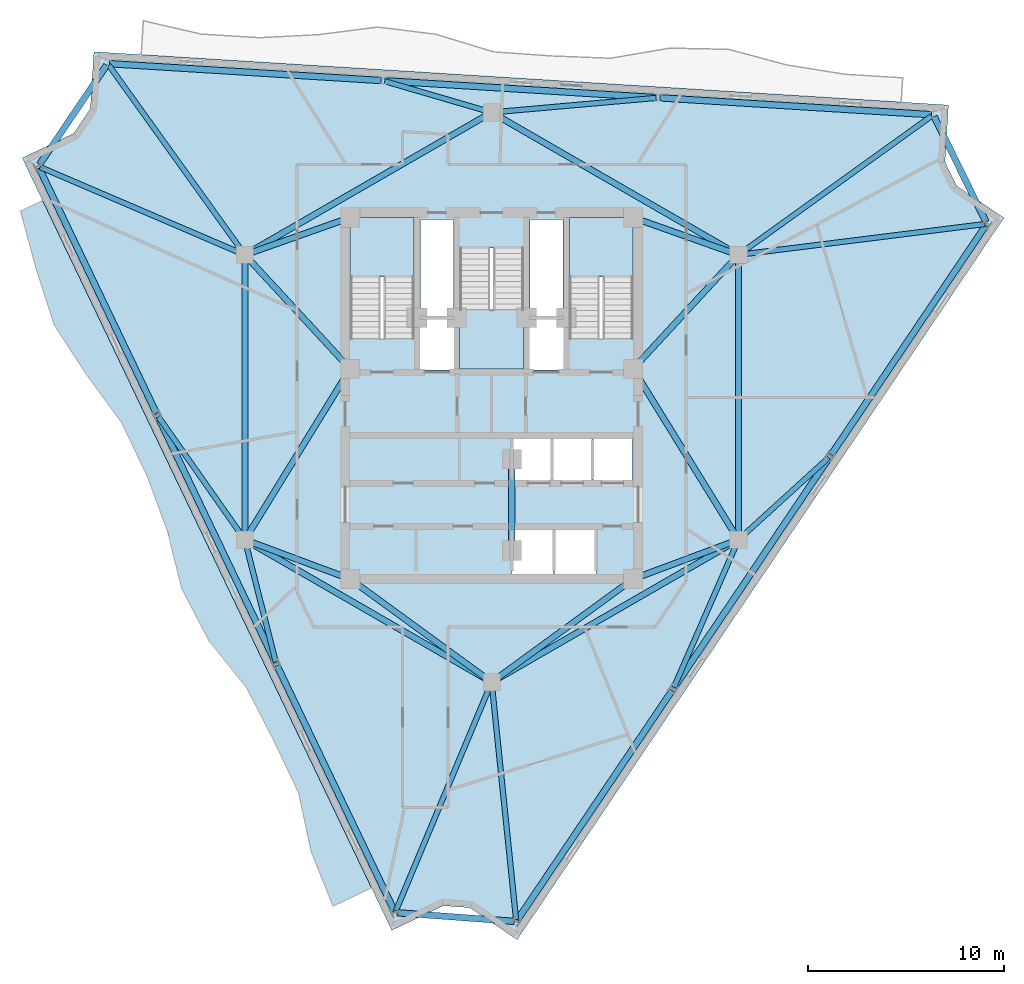
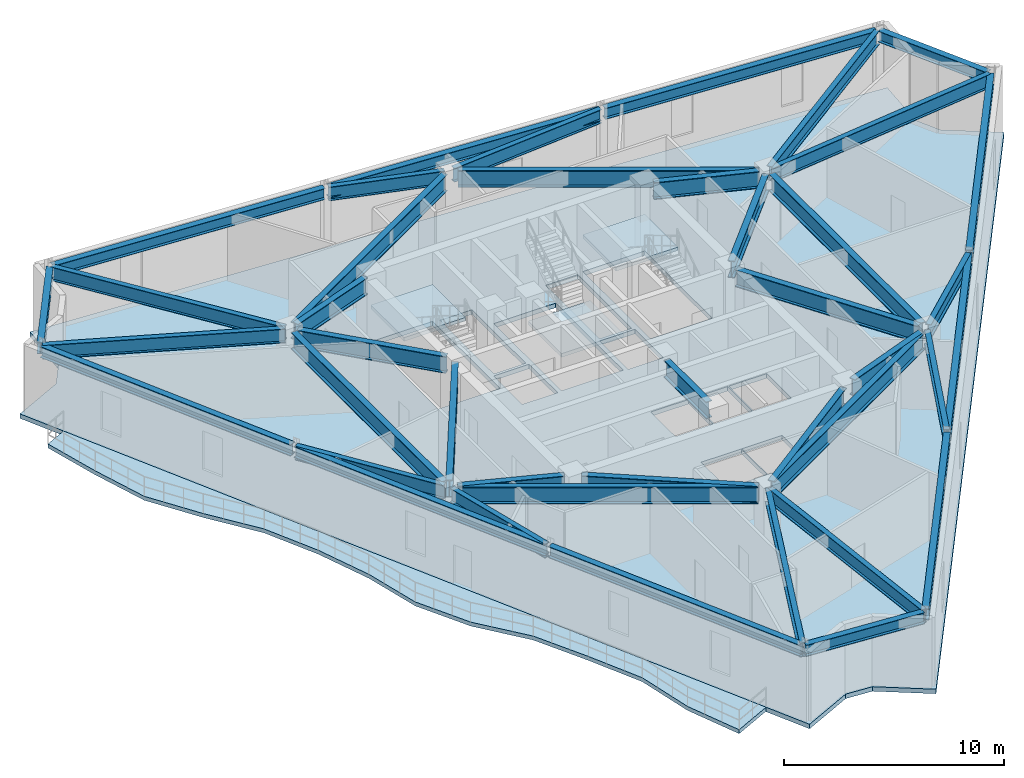
# One storey, part 4 of 10: 41 beams, 5 slabs, 3 elements without a shape of their own.
"""IFC4 building model written with IfcOpenShell, lengths in metres."""

from ifc_helpers import new_model, si_unit, direction, frame, origin, origin_2d, place, context, subcontext, project, spatial, polyline, i_section, outline, extrude, material, layer, layer_set, material_profile, profile_set, type_object, element, aggregate, save


model = new_model("IFC4")

# Units and contexts
model_context = context("Model", 3, precision=1e-05, world=origin(), true_north=direction((0.0, 1.0)))
body_context = subcontext(model_context, "Body", "Model", "MODEL_VIEW")
ifc_project = project(units=[si_unit("LENGTHUNIT", "METRE"), si_unit("AREAUNIT", "SQUARE_METRE"), si_unit("VOLUMEUNIT", "CUBIC_METRE"), si_unit("PLANEANGLEUNIT", "RADIAN"), si_unit("MASSUNIT", "GRAM", prefix="KILO")], contexts=[model_context])

# Site, building, storey
site_placement = place(None, origin())
site = spatial("IfcSite", under=ifc_project, at=site_placement, CompositionType="ELEMENT")
building_placement = place(site_placement, origin())
building = spatial("IfcBuilding", under=site, at=building_placement, Name="Apsidion Concourse Tower", CompositionType="ELEMENT")
storey_placement = place(building_placement, frame((0.0, 0.0, 302.39990234375)))
storey = spatial("IfcBuildingStorey", under=building, at=storey_placement, Name="L71", CompositionType="ELEMENT", Elevation=302.39990234375)

# Beams
ifc_material_1 = material(Name="Structural steel ASTM A992 Grade 50", Category="steel")
ifc_material_profile_1 = material_profile(ifc_material_1, i_section(OverallWidth=0.31005859375, OverallDepth=0.931884765625, WebThickness=0.02099609375, FlangeThickness=0.034423828125, at=origin_2d()), Name="W36X210")
ifc_profile_set_1 = profile_set([ifc_material_profile_1], Name="Structural steel ASTM A992 Grade 50")
beam_type_1 = type_object("IfcBeamType", Name="BM-G-W36", PredefinedType="USERDEFINED", material=ifc_profile_set_1)
beam_1_placement = place(storey_placement, frame((-12.185302734375, -7.389892578125, 3.384033203125), z_axis=(0.936913021145, -0.349562570664, 0.0), x_axis=(0.349562570664, 0.936913021145, 0.0)))
element("IfcBeam", 1, at=beam_1_placement, inside=storey, type_object=beam_type_1, Name="L71 Core Coupling Girder IC1-SC1", ObjectType="GIRDER", PredefinedType="USERDEFINED", context=body_context, shape_type="SweptSolid", body=[
    extrude(i_section(OverallWidth=0.31005859375, OverallDepth=0.931884765625, WebThickness=0.02099609375, FlangeThickness=0.034423828125, at=origin_2d()), origin(), (0.0, 0.0, 1.0), 4.921142578125),
])
beam_2_placement = place(storey_placement, frame((-12.35009765625, -6.909423828125, 3.384033203125), z_axis=(0.524524009763, 0.851395656074, 0.0), x_axis=(-0.851395656074, 0.524524009763, 0.0)))
element("IfcBeam", 2, at=beam_2_placement, inside=storey, type_object=beam_type_1, Name="L71 Core Coupling Girder IC1-SC6", ObjectType="GIRDER", PredefinedType="USERDEFINED", context=body_context, shape_type="SweptSolid", body=[
    extrude(i_section(OverallWidth=0.31005859375, OverallDepth=0.931884765625, WebThickness=0.02099609375, FlangeThickness=0.034423828125, at=origin_2d()), origin(), (0.0, 0.0, 1.0), 9.41845703125),
])
beam_3_placement = place(storey_placement, frame((12.185302734375, -7.389892578125, 3.384033203125), z_axis=(-0.936913021145, -0.349562570664, 0.0), x_axis=(0.349562570664, -0.936913021145, 0.0)))
element("IfcBeam", 3, at=beam_3_placement, inside=storey, type_object=beam_type_1, Name="L71 Core Coupling Girder IC2-SC2", ObjectType="GIRDER", PredefinedType="USERDEFINED", context=body_context, shape_type="SweptSolid", body=[
    extrude(i_section(OverallWidth=0.31005859375, OverallDepth=0.931884765625, WebThickness=0.02099609375, FlangeThickness=0.034423828125, at=origin_2d()), origin(), (0.0, 0.0, 1.0), 4.921142578125),
])
beam_4_placement = place(storey_placement, frame((12.35009765625, -6.909423828125, 3.384033203125), z_axis=(-0.524524009763, 0.851395656074, 0.0), x_axis=(-0.851395656074, -0.524524009763, 0.0)))
element("IfcBeam", 4, at=beam_4_placement, inside=storey, type_object=beam_type_1, Name="L71 Core Coupling Girder IC2-SC3", ObjectType="GIRDER", PredefinedType="USERDEFINED", context=body_context, shape_type="SweptSolid", body=[
    extrude(i_section(OverallWidth=0.31005859375, OverallDepth=0.931884765625, WebThickness=0.02099609375, FlangeThickness=0.034423828125, at=origin_2d()), origin(), (0.0, 0.0, 1.0), 9.41845703125),
])
beam_5_placement = place(storey_placement, frame((12.28857421875, 6.956298828125, 3.384033203125), z_axis=(-0.678712876106, -0.73440372535, 0.0), x_axis=(0.73440372535, -0.678712876106, 0.0)))
element("IfcBeam", 5, at=beam_5_placement, inside=storey, type_object=beam_type_1, Name="L71 Core Coupling Girder IC3-SC3", ObjectType="GIRDER", PredefinedType="USERDEFINED", context=body_context, shape_type="SweptSolid", body=[
    extrude(i_section(OverallWidth=0.31005859375, OverallDepth=0.931884765625, WebThickness=0.02099609375, FlangeThickness=0.034423828125, at=origin_2d()), origin(), (0.0, 0.0, 1.0), 7.097412109375),
])
beam_6_placement = place(storey_placement, frame((12.18310546875, 7.383544921875, 3.384033203125), z_axis=(-0.942533844539, 0.334110688094, 0.0), x_axis=(-0.334110688094, -0.942533844539, 0.0)))
element("IfcBeam", 6, at=beam_6_placement, inside=storey, type_object=beam_type_1, Name="L71 Core Coupling Girder IC3-SC4", ObjectType="GIRDER", PredefinedType="USERDEFINED", context=body_context, shape_type="SweptSolid", body=[
    extrude(i_section(OverallWidth=0.31005859375, OverallDepth=0.931884765625, WebThickness=0.02099609375, FlangeThickness=0.034423828125, at=origin_2d()), origin(), (0.0, 0.0, 1.0), 4.886962890625),
])
beam_7_placement = place(storey_placement, frame((-12.28857421875, 6.956298828125, 3.384033203125), z_axis=(0.678712876106, -0.73440372535, 0.0), x_axis=(0.73440372535, 0.678712876106, 0.0)))
element("IfcBeam", 7, at=beam_7_placement, inside=storey, type_object=beam_type_1, Name="L71 Core Coupling Girder IC5-SC6", ObjectType="GIRDER", PredefinedType="USERDEFINED", context=body_context, shape_type="SweptSolid", body=[
    extrude(i_section(OverallWidth=0.31005859375, OverallDepth=0.931884765625, WebThickness=0.02099609375, FlangeThickness=0.034423828125, at=origin_2d()), origin(), (0.0, 0.0, 1.0), 7.097412109375),
])
beam_8_placement = place(storey_placement, frame((-12.18310546875, 7.383544921875, 3.384033203125), z_axis=(0.942533844539, 0.334110688094, 0.0), x_axis=(-0.334110688094, 0.942533844539, 0.0)))
element("IfcBeam", 8, at=beam_8_placement, inside=storey, type_object=beam_type_1, Name="L71 Core Coupling Girder IC5-SC5", ObjectType="GIRDER", PredefinedType="USERDEFINED", context=body_context, shape_type="SweptSolid", body=[
    extrude(i_section(OverallWidth=0.31005859375, OverallDepth=0.931884765625, WebThickness=0.02099609375, FlangeThickness=0.034423828125, at=origin_2d()), origin(), (0.0, 0.0, 1.0), 4.886962890625),
])
for number, where, z_axis, x_axis, name in (
    (9, (-0.3232421875, -14.264404296875, 3.384033203125), (-0.807993498909, 0.589191399905, 0.0), (-0.589191399905, -0.807993498909, 0.0), "L71 Core Coupling Girder IC6-SC1"),
    (10, (0.3232421875, -14.264404296875, 3.384033203125), (0.807993498909, 0.589191399905, 0.0), (-0.589191399905, 0.807993498909, 0.0), "L71 Core Coupling Girder IC6-SC2"),
):
    element("IfcBeam", number, at=place(storey_placement, frame(where, z_axis=z_axis, x_axis=x_axis)), inside=storey, type_object=beam_type_1, Name=name, ObjectType="GIRDER", PredefinedType="USERDEFINED", context=body_context, shape_type="SweptSolid", body=[
        extrude(i_section(OverallWidth=0.31005859375, OverallDepth=0.931884765625, WebThickness=0.02099609375, FlangeThickness=0.034423828125, at=origin_2d()), origin(), (0.0, 0.0, 1.0), 8.11083984375),
    ])
beam_9_placement = place(storey_placement, frame((-12.56005859375, -6.85009765625, 3.384033203125), z_axis=(0.0, 1.0, 0.0), x_axis=(-1.0, 0.0, 0.0)))
element("IfcBeam", 11, at=beam_9_placement, inside=storey, type_object=beam_type_1, Name="L71 Core Coupling Girder IC1-IC5", ObjectType="GIRDER", PredefinedType="USERDEFINED", context=body_context, shape_type="SweptSolid", body=[
    extrude(i_section(OverallWidth=0.31005859375, OverallDepth=0.931884765625, WebThickness=0.02099609375, FlangeThickness=0.034423828125, at=origin_2d()), origin(), (0.0, 0.0, 1.0), 13.7001953125),
])
for number, where, z_axis, x_axis, name in (
    (12, (-12.213623046875, 7.449951171875, 3.384033203125), (0.866070471464, 0.499921932364, 0.0), (-0.499921932364, 0.866070471464, 0.0), "L71 Core Coupling Girder IC5-IC4"),
    (13, (0.346435546875, 14.300048828125, 3.384033203125), (0.866070471464, -0.499921932364, 0.0), (0.499921932364, 0.866070471464, 0.0), "L71 Core Coupling Girder IC4-IC3"),
):
    element("IfcBeam", number, at=place(storey_placement, frame(where, z_axis=z_axis, x_axis=x_axis)), inside=storey, type_object=beam_type_1, Name=name, ObjectType="GIRDER", PredefinedType="USERDEFINED", context=body_context, shape_type="SweptSolid", body=[
        extrude(i_section(OverallWidth=0.31005859375, OverallDepth=0.931884765625, WebThickness=0.02099609375, FlangeThickness=0.034423828125, at=origin_2d()), origin(), (0.0, 0.0, 1.0), 13.702392578125),
    ])
beam_10_placement = place(storey_placement, frame((12.56005859375, 6.85009765625, 3.384033203125), z_axis=(0.0, -1.0, 0.0), x_axis=(1.0, 0.0, 0.0)))
element("IfcBeam", 14, at=beam_10_placement, inside=storey, type_object=beam_type_1, Name="L71 Core Coupling Girder IC3-IC2", ObjectType="GIRDER", PredefinedType="USERDEFINED", context=body_context, shape_type="SweptSolid", body=[
    extrude(i_section(OverallWidth=0.31005859375, OverallDepth=0.931884765625, WebThickness=0.02099609375, FlangeThickness=0.034423828125, at=origin_2d()), origin(), (0.0, 0.0, 1.0), 13.7001953125),
])
for number, where, z_axis, x_axis, name in (
    (15, (12.213623046875, -7.449951171875, 3.384033203125), (-0.866070471464, -0.499921932364, 0.0), (0.499921932364, -0.866070471464, 0.0), "L71 Core Coupling Girder IC2-IC6"),
    (16, (-0.346435546875, -14.300048828125, 3.384033203125), (-0.866070471464, 0.499921932364, 0.0), (-0.499921932364, -0.866070471464, 0.0), "L71 Core Coupling Girder IC6-IC1"),
):
    element("IfcBeam", number, at=place(storey_placement, frame(where, z_axis=z_axis, x_axis=x_axis)), inside=storey, type_object=beam_type_1, Name=name, ObjectType="GIRDER", PredefinedType="USERDEFINED", context=body_context, shape_type="SweptSolid", body=[
        extrude(i_section(OverallWidth=0.31005859375, OverallDepth=0.931884765625, WebThickness=0.02099609375, FlangeThickness=0.034423828125, at=origin_2d()), origin(), (0.0, 0.0, 1.0), 13.702392578125),
    ])
beam_11_placement = place(storey_placement, frame((1.02490234375, -3.550048828125, 3.384033203125), z_axis=(0.0, -1.0, 0.0), x_axis=(1.0, 0.0, 0.0)))
element("IfcBeam", 17, at=beam_11_placement, inside=storey, type_object=beam_type_1, Name="L71 Core Coupling Girder CC5-CC6", ObjectType="GIRDER", PredefinedType="USERDEFINED", context=body_context, shape_type="SweptSolid", body=[
    extrude(i_section(OverallWidth=0.31005859375, OverallDepth=0.931884765625, WebThickness=0.02099609375, FlangeThickness=0.034423828125, at=origin_2d()), origin(), (0.0, 0.0, 1.0), 3.849853515625),
])
ifc_material_profile_2 = material_profile(ifc_material_1, i_section(OverallWidth=0.324951171875, OverallDepth=0.616943359375, WebThickness=0.013916015625, FlangeThickness=0.021484375, at=origin_2d()), Name="W24X117")
ifc_profile_set_2 = profile_set([ifc_material_profile_2], Name="Structural steel ASTM A992 Grade 50")
beam_type_2 = type_object("IfcBeamType", Name="BM-SP-W24", PredefinedType="SPANDREL", material=ifc_profile_set_2)
beam_12_placement = place(storey_placement, frame((-23.0302734375, 11.66845703125, 3.54150390625), z_axis=(0.431360581796, -0.902179609874, 0.0), x_axis=(0.902179609874, 0.431360581796, 0.0)))
element("IfcBeam", 18, at=beam_12_placement, inside=storey, type_object=beam_type_2, Name="L71 Perimeter Spandrel Girder SP-01", PredefinedType="SPANDREL", context=body_context, shape_type="SweptSolid", body=[
    extrude(i_section(OverallWidth=0.324951171875, OverallDepth=0.616943359375, WebThickness=0.013916015625, FlangeThickness=0.021484375, at=origin_2d()), origin(), (0.0, 0.0, 1.0), 13.834716796875),
])
beam_13_placement = place(storey_placement, frame((-16.976318359375, -0.993408203125, 3.54150390625), z_axis=(0.43136744944, -0.902176326204, 0.0), x_axis=(0.902176326204, 0.43136744944, 0.0)))
element("IfcBeam", 19, at=beam_13_placement, inside=storey, type_object=beam_type_2, Name="L71 Perimeter Spandrel Girder SP-02", PredefinedType="SPANDREL", context=body_context, shape_type="SweptSolid", body=[
    extrude(i_section(OverallWidth=0.324951171875, OverallDepth=0.616943359375, WebThickness=0.013916015625, FlangeThickness=0.021484375, at=origin_2d()), origin(), (0.0, 0.0, 1.0), 13.83447265625),
])
beam_14_placement = place(storey_placement, frame((-10.92236328125, -13.655029296875, 3.54150390625), z_axis=(0.431360581796, -0.902179609874, 0.0), x_axis=(0.902179609874, 0.431360581796, 0.0)))
element("IfcBeam", 20, at=beam_14_placement, inside=storey, type_object=beam_type_2, Name="L71 Perimeter Spandrel Girder SP-03", PredefinedType="SPANDREL", context=body_context, shape_type="SweptSolid", body=[
    extrude(i_section(OverallWidth=0.324951171875, OverallDepth=0.616943359375, WebThickness=0.013916015625, FlangeThickness=0.021484375, at=origin_2d()), origin(), (0.0, 0.0, 1.0), 13.834716796875),
])
beam_15_placement = place(storey_placement, frame((-4.81201171875, -26.234130859375, 3.54150390625), z_axis=(0.997286428853, -0.073619147134, 0.0), x_axis=(0.073619147134, 0.997286428853, 0.0)))
element("IfcBeam", 21, at=beam_15_placement, inside=storey, type_object=beam_type_2, Name="L71 Perimeter Spandrel Girder SP-04", PredefinedType="SPANDREL", context=body_context, shape_type="SweptSolid", body=[
    extrude(i_section(OverallWidth=0.324951171875, OverallDepth=0.616943359375, WebThickness=0.013916015625, FlangeThickness=0.021484375, at=origin_2d()), origin(), (0.0, 0.0, 1.0), 5.982421875),
])
beam_16_placement = place(storey_placement, frame((1.309814453125, -26.59912109375, 3.54150390625), z_axis=(0.559201815781, 0.829031561056, 0.0), x_axis=(-0.829031561056, 0.559201815781, 0.0)))
element("IfcBeam", 22, at=beam_16_placement, inside=storey, type_object=beam_type_2, Name="L71 Perimeter Spandrel Girder SP-05", PredefinedType="SPANDREL", context=body_context, shape_type="SweptSolid", body=[
    extrude(i_section(OverallWidth=0.324951171875, OverallDepth=0.616943359375, WebThickness=0.013916015625, FlangeThickness=0.021484375, at=origin_2d()), origin(), (0.0, 0.0, 1.0), 14.07958984375),
])
beam_17_placement = place(storey_placement, frame((9.294921875, -14.760986328125, 3.54150390625), z_axis=(0.559189897853, 0.829039599862, 0.0), x_axis=(-0.829039599862, 0.559189897853, 0.0)))
element("IfcBeam", 23, at=beam_17_placement, inside=storey, type_object=beam_type_2, Name="L71 Perimeter Spandrel Girder SP-06", PredefinedType="SPANDREL", context=body_context, shape_type="SweptSolid", body=[
    extrude(i_section(OverallWidth=0.324951171875, OverallDepth=0.616943359375, WebThickness=0.013916015625, FlangeThickness=0.021484375, at=origin_2d()), origin(), (0.0, 0.0, 1.0), 14.079345703125),
])
beam_18_placement = place(storey_placement, frame((17.27978515625, -2.9228515625, 3.54150390625), z_axis=(0.559201815781, 0.829031561056, 0.0), x_axis=(-0.829031561056, 0.559201815781, 0.0)))
element("IfcBeam", 24, at=beam_18_placement, inside=storey, type_object=beam_type_2, Name="L71 Perimeter Spandrel Girder SP-07", PredefinedType="SPANDREL", context=body_context, shape_type="SweptSolid", body=[
    extrude(i_section(OverallWidth=0.324951171875, OverallDepth=0.616943359375, WebThickness=0.013916015625, FlangeThickness=0.021484375, at=origin_2d()), origin(), (0.0, 0.0, 1.0), 14.07958984375),
])
beam_19_placement = place(storey_placement, frame((25.164794921875, 8.922119140625, 3.54150390625), z_axis=(-0.441884134894, 0.897072132734, 0.0), x_axis=(-0.897072132734, -0.441884134894, 0.0)))
element("IfcBeam", 25, at=beam_19_placement, inside=storey, type_object=beam_type_2, Name="L71 Perimeter Spandrel Girder SP-08", PredefinedType="SPANDREL", context=body_context, shape_type="SweptSolid", body=[
    extrude(i_section(OverallWidth=0.324951171875, OverallDepth=0.616943359375, WebThickness=0.013916015625, FlangeThickness=0.021484375, at=origin_2d()), origin(), (0.0, 0.0, 1.0), 5.982421875),
])
beam_20_placement = place(storey_placement, frame((22.377197265625, 14.384765625, 3.54150390625), z_axis=(-0.998077561187, 0.06197726886, 0.0), x_axis=(-0.06197726886, -0.998077561187, 0.0)))
element("IfcBeam", 26, at=beam_20_placement, inside=storey, type_object=beam_type_2, Name="L71 Perimeter Spandrel Girder SP-09", PredefinedType="SPANDREL", context=body_context, shape_type="SweptSolid", body=[
    extrude(i_section(OverallWidth=0.324951171875, OverallDepth=0.616943359375, WebThickness=0.013916015625, FlangeThickness=0.021484375, at=origin_2d()), origin(), (0.0, 0.0, 1.0), 13.83447265625),
])
for number, where, z_axis, x_axis, name in (
    (27, (8.36962890625, 15.254638671875, 3.54150390625), (-0.998076537228, 0.061993756414, 0.0), (-0.061993756414, -0.998076537228, 0.0), "L71 Perimeter Spandrel Girder SP-10"),
    (28, (-5.637939453125, 16.12451171875, 3.54150390625), (-0.998076537228, 0.061993756414, 0.0), (-0.061993756414, -0.998076537228, 0.0), "L71 Perimeter Spandrel Girder SP-11"),
):
    element("IfcBeam", number, at=place(storey_placement, frame(where, z_axis=z_axis, x_axis=x_axis)), inside=storey, type_object=beam_type_2, Name=name, PredefinedType="SPANDREL", context=body_context, shape_type="SweptSolid", body=[
        extrude(i_section(OverallWidth=0.324951171875, OverallDepth=0.616943359375, WebThickness=0.013916015625, FlangeThickness=0.021484375, at=origin_2d()), origin(), (0.0, 0.0, 1.0), 13.834716796875),
    ])
beam_21_placement = place(storey_placement, frame((-19.601806640625, 16.905517578125, 3.54150390625), z_axis=(-0.559174891641, -0.829049721403, 0.0), x_axis=(0.829049721403, -0.559174891641, 0.0)))
element("IfcBeam", 29, at=beam_21_placement, inside=storey, type_object=beam_type_2, Name="L71 Perimeter Spandrel Girder SP-12", PredefinedType="SPANDREL", context=body_context, shape_type="SweptSolid", body=[
    extrude(i_section(OverallWidth=0.324951171875, OverallDepth=0.616943359375, WebThickness=0.013916015625, FlangeThickness=0.021484375, at=origin_2d()), origin(), (0.0, 0.0, 1.0), 6.108154296875),
])
ifc_material_profile_3 = material_profile(ifc_material_1, i_section(OverallWidth=0.26806640625, OverallDepth=0.77001953125, WebThickness=0.015625, FlangeThickness=0.025390625, at=origin_2d()), Name="W30X132")
ifc_profile_set_3 = profile_set([ifc_material_profile_3], Name="Structural steel ASTM A992 Grade 50")
beam_type_3 = type_object("IfcBeamType", Name="BM-SP-W30", PredefinedType="SPANDREL", material=ifc_profile_set_3)
beam_22_placement = place(storey_placement, frame((-12.76220703125, 7.336669921875, 3.465087890625), z_axis=(-0.919050742632, 0.3941392298, 0.0), x_axis=(-0.3941392298, -0.919050742632, 0.0)))
element("IfcBeam", 30, at=beam_22_placement, inside=storey, type_object=beam_type_3, Name="L71 Radial Floor Girder RAD-01", PredefinedType="SPANDREL", context=body_context, shape_type="SweptSolid", body=[
    extrude(i_section(OverallWidth=0.26806640625, OverallDepth=0.77001953125, WebThickness=0.015625, FlangeThickness=0.025390625, at=origin_2d()), origin(), (0.0, 0.0, 1.0), 11.119384765625),
])
beam_23_placement = place(storey_placement, frame((-12.6865234375, -7.070068359375, 3.465087890625), z_axis=(-0.574897998258, 0.818225086146, 0.0), x_axis=(-0.818225086146, -0.574897998258, 0.0)))
element("IfcBeam", 31, at=beam_23_placement, inside=storey, type_object=beam_type_3, Name="L71 Radial Floor Girder RAD-02", PredefinedType="SPANDREL", context=body_context, shape_type="SweptSolid", body=[
    extrude(i_section(OverallWidth=0.26806640625, OverallDepth=0.77001953125, WebThickness=0.015625, FlangeThickness=0.025390625, at=origin_2d()), origin(), (0.0, 0.0, 1.0), 7.436767578125),
])
beam_24_placement = place(storey_placement, frame((-12.506103515625, -7.46337890625, 3.465087890625), z_axis=(0.244807492941, -0.969571705136, 0.0), x_axis=(0.969571705136, 0.244807492941, 0.0)))
element("IfcBeam", 32, at=beam_24_placement, inside=storey, type_object=beam_type_3, Name="L71 Radial Floor Girder RAD-03", PredefinedType="SPANDREL", context=body_context, shape_type="SweptSolid", body=[
    extrude(i_section(OverallWidth=0.26806640625, OverallDepth=0.77001953125, WebThickness=0.015625, FlangeThickness=0.025390625, at=origin_2d()), origin(), (0.0, 0.0, 1.0), 6.193115234375),
])
beam_25_placement = place(storey_placement, frame((-0.0849609375, -14.702880859375, 3.465087890625), z_axis=(-0.386326743156, -0.922361993755, 0.0), x_axis=(0.922361993755, -0.386326743156, 0.0)))
element("IfcBeam", 33, at=beam_25_placement, inside=storey, type_object=beam_type_3, Name="L71 Radial Floor Girder RAD-04", PredefinedType="SPANDREL", context=body_context, shape_type="SweptSolid", body=[
    extrude(i_section(OverallWidth=0.26806640625, OverallDepth=0.77001953125, WebThickness=0.015625, FlangeThickness=0.025390625, at=origin_2d()), origin(), (0.0, 0.0, 1.0), 12.393798828125),
])
beam_26_placement = place(storey_placement, frame((0.0224609375, -14.71875, 3.465087890625), z_axis=(0.10241374793, -0.994741888248, 0.0), x_axis=(0.994741888248, 0.10241374793, 0.0)))
element("IfcBeam", 34, at=beam_26_placement, inside=storey, type_object=beam_type_3, Name="L71 Radial Floor Girder RAD-05", PredefinedType="SPANDREL", context=body_context, shape_type="SweptSolid", body=[
    extrude(i_section(OverallWidth=0.26806640625, OverallDepth=0.77001953125, WebThickness=0.015625, FlangeThickness=0.025390625, at=origin_2d()), origin(), (0.0, 0.0, 1.0), 11.926513671875),
])
beam_27_placement = place(storey_placement, frame((12.4716796875, -7.45166015625, 3.465087890625), z_axis=(-0.400675776745, -0.916219909154, 0.0), x_axis=(0.916219909154, -0.400675776745, 0.0)))
element("IfcBeam", 35, at=beam_27_placement, inside=storey, type_object=beam_type_3, Name="L71 Radial Floor Girder RAD-06", PredefinedType="SPANDREL", context=body_context, shape_type="SweptSolid", body=[
    extrude(i_section(OverallWidth=0.26806640625, OverallDepth=0.77001953125, WebThickness=0.015625, FlangeThickness=0.025390625, at=origin_2d()), origin(), (0.0, 0.0, 1.0), 7.968017578125),
])
beam_28_placement = place(storey_placement, frame((12.72265625, -7.101806640625, 3.465087890625), z_axis=(0.739604100637, 0.673042178709, 0.0), x_axis=(-0.673042178709, 0.739604100637, 0.0)))
element("IfcBeam", 36, at=beam_28_placement, inside=storey, type_object=beam_type_3, Name="L71 Radial Floor Girder RAD-07", PredefinedType="SPANDREL", context=body_context, shape_type="SweptSolid", body=[
    extrude(i_section(OverallWidth=0.26806640625, OverallDepth=0.77001953125, WebThickness=0.015625, FlangeThickness=0.025390625, at=origin_2d()), origin(), (0.0, 0.0, 1.0), 5.986083984375),
])
beam_29_placement = place(storey_placement, frame((12.7783203125, 7.27734375, 3.465087890625), z_axis=(0.99226487514, 0.124138702924, 0.0), x_axis=(-0.124138702924, 0.99226487514, 0.0)))
element("IfcBeam", 37, at=beam_29_placement, inside=storey, type_object=beam_type_3, Name="L71 Radial Floor Girder RAD-08", PredefinedType="SPANDREL", context=body_context, shape_type="SweptSolid", body=[
    extrude(i_section(OverallWidth=0.26806640625, OverallDepth=0.77001953125, WebThickness=0.015625, FlangeThickness=0.025390625, at=origin_2d()), origin(), (0.0, 0.0, 1.0), 12.427490234375),
])
beam_30_placement = place(storey_placement, frame((12.738525390625, 7.37841796875, 3.465087890625), z_axis=(0.811991962087, 0.583668616174, 0.0), x_axis=(-0.583668616174, 0.811991962087, 0.0)))
element("IfcBeam", 38, at=beam_30_placement, inside=storey, type_object=beam_type_3, Name="L71 Radial Floor Girder RAD-09", PredefinedType="SPANDREL", context=body_context, shape_type="SweptSolid", body=[
    extrude(i_section(OverallWidth=0.26806640625, OverallDepth=0.77001953125, WebThickness=0.015625, FlangeThickness=0.025390625, at=origin_2d()), origin(), (0.0, 0.0, 1.0), 11.8935546875),
])
beam_31_placement = place(storey_placement, frame((0.218994140625, 14.519287109375, 3.465087890625), z_axis=(0.99611631584, 0.088047063082, 0.0), x_axis=(-0.088047063082, 0.99611631584, 0.0)))
element("IfcBeam", 39, at=beam_31_placement, inside=storey, type_object=beam_type_3, Name="L71 Radial Floor Girder RAD-10", PredefinedType="SPANDREL", context=body_context, shape_type="SweptSolid", body=[
    extrude(i_section(OverallWidth=0.26806640625, OverallDepth=0.77001953125, WebThickness=0.015625, FlangeThickness=0.025390625, at=origin_2d()), origin(), (0.0, 0.0, 1.0), 8.1826171875),
])
beam_32_placement = place(storey_placement, frame((-0.211181640625, 14.561767578125, 3.465087890625), z_axis=(-0.959858385002, 0.28048508114, 0.0), x_axis=(-0.28048508114, -0.959858385002, 0.0)))
element("IfcBeam", 40, at=beam_32_placement, inside=storey, type_object=beam_type_3, Name="L71 Radial Floor Girder RAD-11", PredefinedType="SPANDREL", context=body_context, shape_type="SweptSolid", body=[
    extrude(i_section(OverallWidth=0.26806640625, OverallDepth=0.77001953125, WebThickness=0.015625, FlangeThickness=0.025390625, at=origin_2d()), origin(), (0.0, 0.0, 1.0), 5.44970703125),
])
beam_33_placement = place(storey_placement, frame((-12.688232421875, 7.4287109375, 3.465087890625), z_axis=(-0.582890152065, 0.812550964941, 0.0), x_axis=(-0.812550964941, -0.582890152065, 0.0)))
element("IfcBeam", 41, at=beam_33_placement, inside=storey, type_object=beam_type_3, Name="L71 Radial Floor Girder RAD-12", PredefinedType="SPANDREL", context=body_context, shape_type="SweptSolid", body=[
    extrude(i_section(OverallWidth=0.26806640625, OverallDepth=0.77001953125, WebThickness=0.015625, FlangeThickness=0.025390625, at=origin_2d()), origin(), (0.0, 0.0, 1.0), 11.664794921875),
])

# Slabs
ifc_material_2 = material(Name="Concrete C50/60", Category="concrete")
ifc_layer_1 = layer(ifc_material_2, 0.219970703125)
ifc_layer_set_1 = layer_set([ifc_layer_1], Name="Concrete C50/60")
slab_type_1 = type_object("IfcSlabType", Name="SL-BAL-220", PredefinedType="FLOOR", material=ifc_layer_set_1)
slab_1_placement = place(storey_placement, frame((0.0, 0.0, -0.219970703125)))
element("IfcSlab", 42, at=slab_1_placement, inside=storey, type_object=slab_type_1, Name="L71 Face 1 Rippling Balcony Slab", PredefinedType="FLOOR", context=body_context, shape_type="SweptSolid", body=[
    extrude(outline(polyline([(-22.85546875, 10.015869140625), (-21.56787109375, 7.324951171875), (-20.280517578125, 4.634033203125), (-18.992919921875, 1.943115234375), (-17.70556640625, -0.747802734375), (-16.41796875, -3.438720703125), (-15.130615234375, -6.129638671875), (-13.843017578125, -8.820556640625), (-12.555419921875, -11.51171875), (-11.26806640625, -14.202392578125), (-9.980712890625, -16.893310546875), (-8.693115234375, -19.58447265625), (-7.405517578125, -22.275390625), (-6.1181640625, -24.96630859375), (-8.075439453125, -25.902587890625), (-9.18408203125, -23.126220703125), (-9.827880859375, -20.127197265625), (-11.108154296875, -17.432861328125), (-12.474609375, -14.77978515625), (-14.389892578125, -12.38916015625), (-15.77197265625, -9.743408203125), (-16.50537109375, -6.78759765625), (-17.545654296875, -3.978271484375), (-18.8330078125, -1.287353515625), (-20.626220703125, 1.16162109375), (-22.264892578125, 3.6845703125), (-23.18701171875, 6.55029296875), (-23.98291015625, 9.476318359375), (-22.85546875, 10.015869140625)])), origin(), (0.0, 0.0, 1.0), 0.219970703125),
])
ifc_layer_2 = layer(ifc_material_2, 0.25)
ifc_layer_set_2 = layer_set([ifc_layer_2], Name="Concrete C50/60")
slab_type_2 = type_object("IfcSlabType", Name="SL-FLR-250", PredefinedType="FLOOR", material=ifc_layer_set_2)
slab_2_placement = place(storey_placement, frame((0.0, 0.0, -0.25)))
element("IfcSlab", 43, at=slab_2_placement, inside=storey, type_object=slab_type_2, Name="L71 Structural Floor Slab", PredefinedType="FLOOR", context=body_context, shape_type="SweptSolid", body=[
    extrude(outline(polyline([(-20.24365234375, 17.58837890625), (-20.424560546875, 14.688232421875), (-21.27001953125, 13.43505859375), (-23.89111328125, 12.180908203125), (-5.082275390625, -27.131103515625), (-2.461181640625, -25.877197265625), (-1.11181640625, -25.9765625), (1.297119140625, -27.6015625), (26.07763671875, 9.136962890625), (23.668701171875, 10.76171875), (23.07080078125, 11.9755859375), (23.251708984375, 14.875732421875), (-20.24365234375, 17.58837890625)]), holes=[polyline([(-3.949951171875, 3.0), (-3.949951171875, 9.14990234375), (-7.199951171875, 9.14990234375), (-7.199951171875, 3.0), (-3.949951171875, 3.0)]), polyline([(7.199951171875, 3.0), (7.199951171875, 9.14990234375), (3.949951171875, 9.14990234375), (3.949951171875, 3.0), (7.199951171875, 3.0)]), polyline([(-1.625, 7.60009765625), (-1.625, 1.449951171875), (1.625, 1.449951171875), (1.625, 7.60009765625), (-1.625, 7.60009765625)]), polyline([(1.054931640625, -4.300048828125), (3.044921875, -4.300048828125), (3.044921875, -2.050048828125), (1.054931640625, -2.050048828125), (1.054931640625, -4.300048828125)]), polyline([(3.10498046875, -4.300048828125), (5.094970703125, -4.300048828125), (5.094970703125, -2.050048828125), (3.10498046875, -2.050048828125), (3.10498046875, -4.300048828125)]), polyline([(5.155029296875, -4.300048828125), (7.14501953125, -4.300048828125), (7.14501953125, -2.050048828125), (5.155029296875, -2.050048828125), (5.155029296875, -4.300048828125)]), polyline([(1.044921875, -9.0), (3.155029296875, -9.0), (3.155029296875, -6.64990234375), (1.044921875, -6.64990234375), (1.044921875, -9.0)]), polyline([(3.195068359375, -9.0), (5.304931640625, -9.0), (5.304931640625, -6.64990234375), (3.195068359375, -6.64990234375), (3.195068359375, -9.0)]), polyline([(-3.7099609375, 1.39990234375), (-1.85009765625, 1.39990234375), (-1.85009765625, 4.0), (-3.7099609375, 4.0), (-3.7099609375, 1.39990234375)]), polyline([(1.85009765625, 1.39990234375), (3.7099609375, 1.39990234375), (3.7099609375, 4.0), (1.85009765625, 4.0), (1.85009765625, 1.39990234375)]), polyline([(-3.6201171875, 4.14990234375), (-1.93994140625, 4.14990234375), (-1.93994140625, 9.050048828125), (-3.6201171875, 9.050048828125), (-3.6201171875, 4.14990234375)]), polyline([(1.93994140625, 4.14990234375), (3.6201171875, 4.14990234375), (3.6201171875, 9.050048828125), (1.93994140625, 9.050048828125), (1.93994140625, 4.14990234375)])]), origin(), (0.0, 0.0, 1.0), 0.25),
])

# Stair, slab
ifc_material_3 = material(Name="Precast concrete C40/50", Category="concrete")
stair_type = type_object("IfcStairType", Name="ST-DL-1550", PredefinedType="HALF_TURN_STAIR", material=ifc_material_3)
stair_1_placement = place(storey_placement, origin())
stair_1 = element("IfcStair", 44, at=stair_1_placement, inside=storey, type_object=stair_type, Name="L71 Protected Core Exit Stair ST1", PredefinedType="HALF_TURN_STAIR")
ifc_layer_3 = layer(ifc_material_2, 0.199951171875)
ifc_layer_set_3 = layer_set([ifc_layer_3], Name="Concrete C50/60")
slab_type_3 = type_object("IfcSlabType", Name="SL-ST-LAND-200", PredefinedType="LANDING", material=ifc_layer_set_3)
slab_3_placement = place(storey_placement, frame((0.0, 0.0, 1.85009765625)))
slab_3 = element("IfcSlab", 45, at=slab_3_placement, type_object=slab_type_3, Name="ST1 landing 1", PredefinedType="LANDING", context=body_context, shape_type="SweptSolid", body=[
    extrude(outline(polyline([(-3.949951171875, 6.135009765625), (-3.949951171875, 9.14990234375), (-7.199951171875, 9.14990234375), (-7.199951171875, 6.135009765625), (-3.949951171875, 6.135009765625)])), origin(), (0.0, 0.0, 1.0), 0.199951171875),
])
aggregate(stair_1, [slab_3])

stair_2_placement = place(storey_placement, origin())
stair_2 = element("IfcStair", 46, at=stair_2_placement, inside=storey, type_object=stair_type, Name="L71 Protected Core Exit Stair ST2", PredefinedType="HALF_TURN_STAIR")
slab_4_placement = place(storey_placement, frame((0.0, 0.0, 1.85009765625)))
slab_4 = element("IfcSlab", 47, at=slab_4_placement, type_object=slab_type_3, Name="ST2 landing 1", PredefinedType="LANDING", context=body_context, shape_type="SweptSolid", body=[
    extrude(outline(polyline([(7.199951171875, 6.135009765625), (7.199951171875, 9.14990234375), (3.949951171875, 9.14990234375), (3.949951171875, 6.135009765625), (7.199951171875, 6.135009765625)])), origin(), (0.0, 0.0, 1.0), 0.199951171875),
])
aggregate(stair_2, [slab_4])

stair_3_placement = place(storey_placement, origin())
stair_3 = element("IfcStair", 48, at=stair_3_placement, inside=storey, type_object=stair_type, Name="L71 Protected Core Exit Stair ST3", PredefinedType="HALF_TURN_STAIR")
slab_5_placement = place(storey_placement, frame((0.0, 0.0, 1.85009765625)))
slab_5 = element("IfcSlab", 49, at=slab_5_placement, type_object=slab_type_3, Name="ST3 landing 1", PredefinedType="LANDING", context=body_context, shape_type="SweptSolid", body=[
    extrude(outline(polyline([(-1.625, 4.465087890625), (-1.625, 1.449951171875), (1.625, 1.449951171875), (1.625, 4.465087890625), (-1.625, 4.465087890625)])), origin(), (0.0, 0.0, 1.0), 0.199951171875),
])
aggregate(stair_3, [slab_5])

save(model, "model.ifc")
